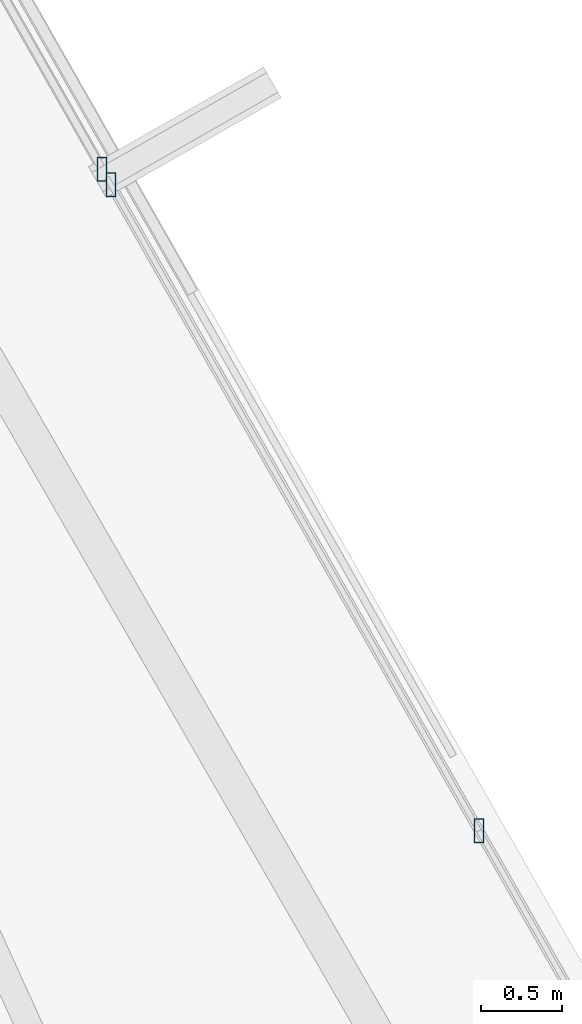
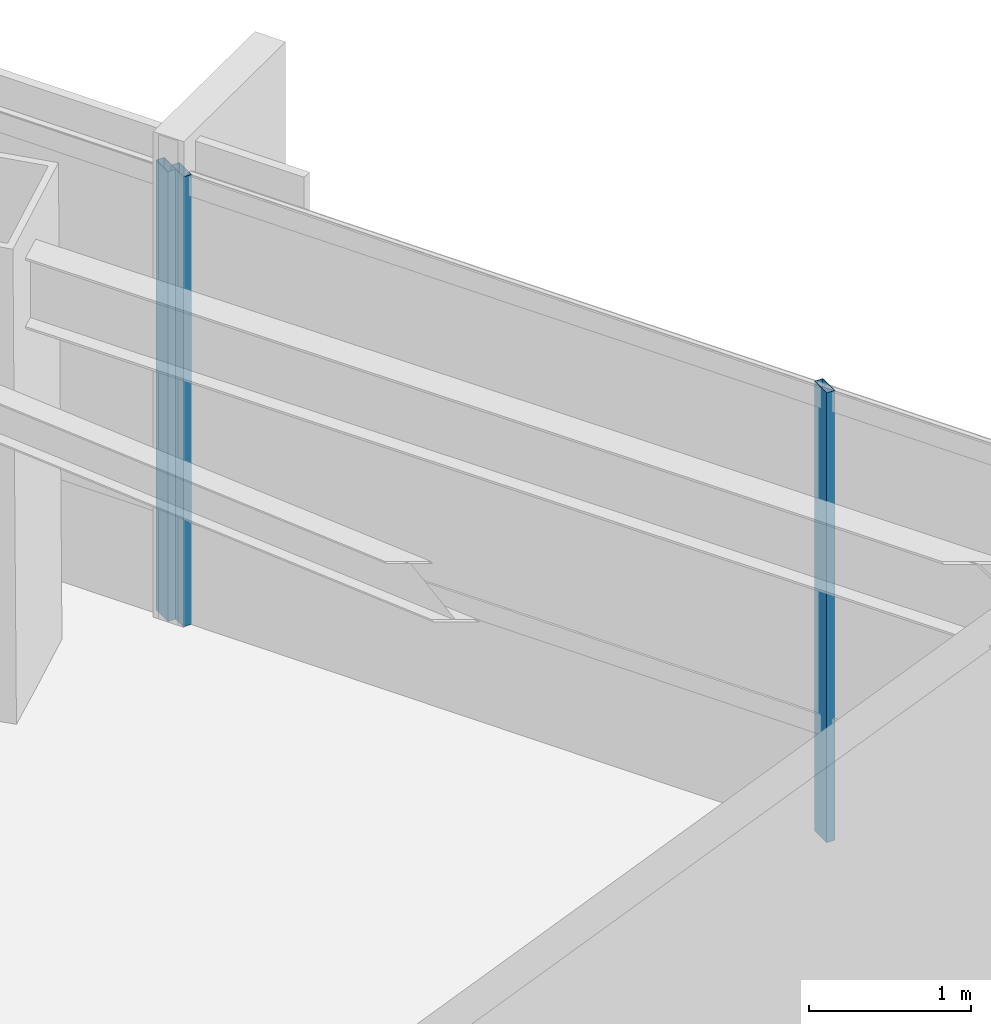
# One storey, part 23 of 39: 3 members, 2 elements without a shape of their own.
"""IFC4 building model written with IfcOpenShell, lengths in metres."""

from ifc_helpers import new_model, si_unit, direction, frame, origin, origin_2d, place, context, subcontext, project, spatial, hollow_rectangle, extrude, source, transform, mapped, material, material_profile, profile_set, type_object, type_shapes, element, aggregate, save


model = new_model("IFC4")

# Units and contexts
model_context = context("Model", 3, precision=1e-05, world=origin(), true_north=direction((0.0, 1.0)))
body_context = subcontext(model_context, "Body", "Model", "MODEL_VIEW")
ifc_project = project(units=[si_unit("LENGTHUNIT", "METRE"), si_unit("AREAUNIT", "SQUARE_METRE"), si_unit("VOLUMEUNIT", "CUBIC_METRE"), si_unit("PLANEANGLEUNIT", "RADIAN"), si_unit("MASSUNIT", "GRAM", prefix="KILO")], contexts=[model_context])

# Site, building, storey
site_placement = place(None, origin())
site = spatial("IfcSite", under=ifc_project, at=site_placement, CompositionType="ELEMENT")
building_placement = place(site_placement, origin())
building = spatial("IfcBuilding", under=site, at=building_placement, Name="Caelisora Broadcast Tower", CompositionType="ELEMENT")
storey_placement = place(building_placement, frame((0.0, 0.0, 139.10009765625)))
storey = spatial("IfcBuildingStorey", under=building, at=storey_placement, Name="L36", CompositionType="ELEMENT", Elevation=139.10009765625)

# Curtain wall, member
ifc_material_1 = material(Name="Unitised Aluminium Insulated Shadow-Box Spandrel Curtain Wall", Category="aluminium")
curtain_wall_type_1 = type_object("IfcCurtainWallType", Name="CW-SP2", PredefinedType="NOTDEFINED", material=ifc_material_1)
curtain_wall_1_placement = place(storey_placement, origin())
curtain_wall_1 = element("IfcCurtainWall", 1, at=curtain_wall_1_placement, inside=storey, type_object=curtain_wall_type_1, Name="L36 curtain wall CW-SP2", PredefinedType="NOTDEFINED")
ifc_material_2 = material(Name="Aluminium 6063-T6 Anodised Terracotta Bronze", Category="aluminium")
ifc_material_profile = material_profile(ifc_material_2, hollow_rectangle(XDim=0.06005859375, YDim=0.14990234375, WallThickness=0.00341796875, at=origin_2d()), Name="Aluminium 6063-T6 Anodised Terracotta Bronze")
ifc_profile_set = profile_set([ifc_material_profile], Name="Aluminium 6063-T6 Anodised Terracotta Bronze")
member_type = type_object("IfcMemberType", Name="CWM-03", PredefinedType="MULLION", material=ifc_profile_set)
shared_shape = source(origin(), body_context, "Body", "SweptSolid", [
    extrude(hollow_rectangle(XDim=0.06005859375, YDim=0.14990234375, WallThickness=0.00341796875, at=origin_2d()), origin(), (0.0, 0.0, 1.0), 3.39990234375),
])
type_shapes(member_type, [shared_shape])
member_1_placement = place(storey_placement, frame((56.7734375, 27.73193359375, 0.0), z_axis=(0.0, 0.0, 1.0), x_axis=(1.0, 0.0, 0.0)))
member_1 = element("IfcMember", 2, at=member_1_placement, type_object=member_type, Name="L36-CW-B02 mullion #3", PredefinedType="MULLION", context=body_context, shape_type="MappedRepresentation", body=[
    mapped(shared_shape, transform((0.0, 0.0, 0.0), scale=1.0)),
])
aggregate(curtain_wall_1, [member_1])

# Curtain wall, members
ifc_material_3 = material(Name="Unitised Aluminium and Low-E Glass Curtain Wall", Category="glass")
curtain_wall_type_2 = type_object("IfcCurtainWallType", Name="CW-Z3", PredefinedType="NOTDEFINED", material=ifc_material_3)
curtain_wall_2_placement = place(storey_placement, origin())
curtain_wall_2 = element("IfcCurtainWall", 3, at=curtain_wall_2_placement, inside=storey, type_object=curtain_wall_type_2, Name="L36 curtain wall CW-Z3", PredefinedType="NOTDEFINED")
member_2_placement = place(storey_placement, frame((56.827880859375, 27.636474609375, 0.0), z_axis=(0.0, 0.0, 1.0), x_axis=(1.0, 0.0, 0.0)))
member_2 = element("IfcMember", 4, at=member_2_placement, type_object=member_type, Name="L36-CW-B03 mullion #0", PredefinedType="MULLION", context=body_context, shape_type="MappedRepresentation", body=[
    mapped(shared_shape, transform((0.0, 0.0, 0.0), scale=1.0)),
])
member_3_placement = place(storey_placement, frame((59.112060546875, 23.626220703125, 0.0), z_axis=(0.0, 0.0, 1.0), x_axis=(1.0, 0.0, 0.0)))
member_3 = element("IfcMember", 5, at=member_3_placement, type_object=member_type, Name="L36-CW-B03 mullion #1", PredefinedType="MULLION", context=body_context, shape_type="MappedRepresentation", body=[
    mapped(shared_shape, transform((0.0, 0.0, 0.0), scale=1.0)),
])
aggregate(curtain_wall_2, [member_2, member_3])

save(model, "model.ifc")
